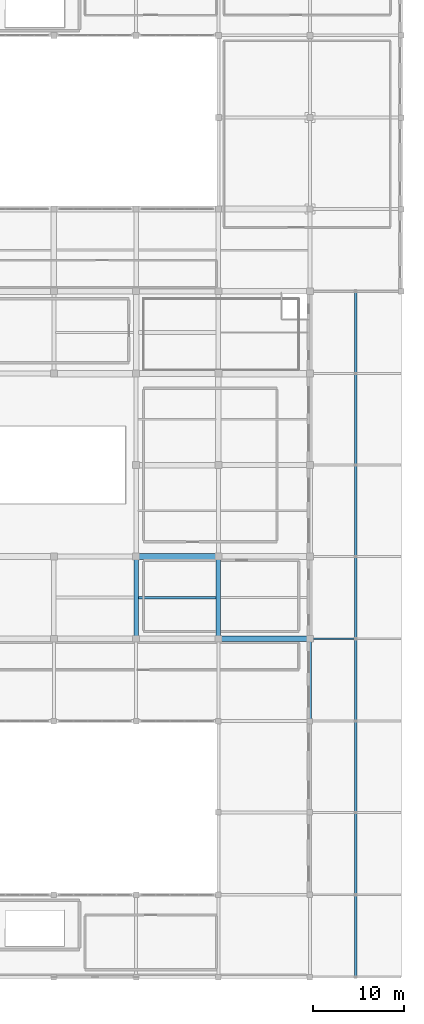
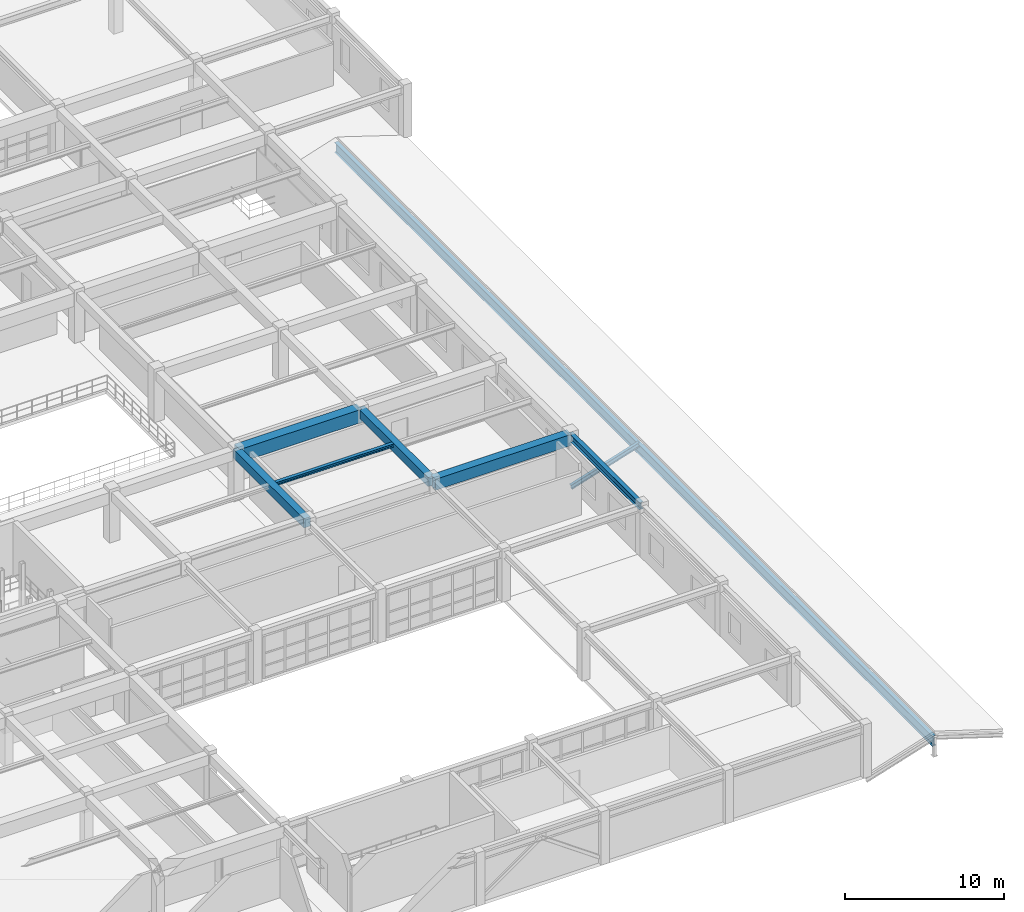
# One storey, part 80 of 130: 7 beams, 1 member.
"""IFC4 building model written with IfcOpenShell, lengths in metres."""

from ifc_helpers import new_model, si_unit, direction, frame, origin, origin_2d, place, context, subcontext, project, spatial, rectangle, i_section, extrude, material, material_profile, profile_set, type_object, element, save


model = new_model("IFC4")

# Units and contexts
model_context = context("Model", 3, precision=1e-05, world=origin(), true_north=direction((0.0, 1.0)))
body_context = subcontext(model_context, "Body", "Model", "MODEL_VIEW")
ifc_project = project(units=[si_unit("LENGTHUNIT", "METRE"), si_unit("AREAUNIT", "SQUARE_METRE"), si_unit("VOLUMEUNIT", "CUBIC_METRE"), si_unit("PLANEANGLEUNIT", "RADIAN"), si_unit("MASSUNIT", "GRAM", prefix="KILO")], contexts=[model_context])

# Site, building, storey
site_placement = place(None, origin())
site = spatial("IfcSite", under=ifc_project, at=site_placement, CompositionType="ELEMENT")
building_placement = place(site_placement, origin())
building = spatial("IfcBuilding", under=site, at=building_placement, Name="Miravela Opera House", CompositionType="ELEMENT")
storey_placement = place(building_placement, frame((0.0, 0.0, 9.52001953125)))
storey = spatial("IfcBuildingStorey", under=building, at=storey_placement, Name="L02", CompositionType="ELEMENT", Elevation=9.52001953125)

# Beams
ifc_material_1 = material(Name="Concrete C35/45", Category="concrete")
ifc_material_profile_1 = material_profile(ifc_material_1, rectangle(XDim=0.47998046875, YDim=0.679931640625, at=origin_2d()), Name="RC-BM-480X680")
ifc_profile_set_1 = profile_set([ifc_material_profile_1])
beam_type_1 = type_object("IfcBeamType", Name="STR-BM-RC480X680", PredefinedType="BEAM", material=ifc_profile_set_1)
beam_1_placement = place(storey_placement, frame((144.0, 37.080078125, 3.5), z_axis=(0.0, 1.0, 0.0), x_axis=(-1.0, 0.0, 0.0)))
element("IfcBeam", 1, at=beam_1_placement, inside=storey, type_object=beam_type_1, Name="Floor Girder L02 17/E-F", PredefinedType="BEAM", context=body_context, shape_type="SweptSolid", body=[
    extrude(rectangle(XDim=0.47998046875, YDim=0.679931640625, at=origin_2d()), origin(), (0.0, 0.0, 1.0), 8.83984375),
])
ifc_material_profile_2 = material_profile(ifc_material_1, rectangle(XDim=0.5, YDim=0.699951171875, at=origin_2d()), Name="RC-BM-500X700")
ifc_profile_set_2 = profile_set([ifc_material_profile_2])
beam_type_2 = type_object("IfcBeamType", Name="STR-BM-RC500X700", PredefinedType="BEAM", material=ifc_profile_set_2)
beam_2_placement = place(storey_placement, frame((135.0, 37.080078125, 3.489990234375), z_axis=(0.0, 1.0, 0.0), x_axis=(-1.0, 0.0, 0.0)))
element("IfcBeam", 2, at=beam_2_placement, inside=storey, type_object=beam_type_2, Name="Floor Girder L02 16/E-F", PredefinedType="BEAM", context=body_context, shape_type="SweptSolid", body=[
    extrude(rectangle(XDim=0.5, YDim=0.699951171875, at=origin_2d()), origin(), (0.0, 0.0, 1.0), 8.83984375),
])
ifc_material_2 = material(Name="Concrete C40/50", Category="concrete")
ifc_material_profile_3 = material_profile(ifc_material_2, rectangle(XDim=0.60009765625, YDim=0.85009765625, at=origin_2d()), Name="RC-BM-600X850")
ifc_profile_set_3 = profile_set([ifc_material_profile_3])
beam_type_3 = type_object("IfcBeamType", Name="STR-BM-RC600X850", PredefinedType="BEAM", material=ifc_profile_set_3)
beam_3_placement = place(storey_placement, frame((144.080078125, 37.0, 3.4150390625), z_axis=(1.0, 0.0, 0.0), x_axis=(0.0, 1.0, 0.0)))
element("IfcBeam", 3, at=beam_3_placement, inside=storey, type_object=beam_type_3, Name="Floor Girder L02 17-18/E", PredefinedType="BEAM", context=body_context, shape_type="SweptSolid", body=[
    extrude(rectangle(XDim=0.60009765625, YDim=0.85009765625, at=origin_2d()), origin(), (0.0, 0.0, 1.0), 9.83984375),
])
ifc_material_profile_4 = material_profile(ifc_material_2, rectangle(XDim=0.699951171875, YDim=1.0, at=origin_2d()), Name="RC-BM-700X1000")
ifc_profile_set_4 = profile_set([ifc_material_profile_4])
beam_type_4 = type_object("IfcBeamType", Name="STR-BM-RC700X1000", PredefinedType="BEAM", material=ifc_profile_set_4)
beam_4_placement = place(storey_placement, frame((135.080078125, 46.0, 3.340087890625), z_axis=(1.0, 0.0, 0.0), x_axis=(0.0, 1.0, 0.0)))
element("IfcBeam", 4, at=beam_4_placement, inside=storey, type_object=beam_type_4, Name="Floor Girder L02 16-17/F", PredefinedType="BEAM", context=body_context, shape_type="SweptSolid", body=[
    extrude(rectangle(XDim=0.699951171875, YDim=1.0, at=origin_2d()), origin(), (0.0, 0.0, 1.0), 8.83984375),
])
ifc_material_3 = material(Name="Structural steel ASTM A992 Gr. 50", Category="steel")
ifc_material_profile_5 = material_profile(ifc_material_3, i_section(OverallWidth=0.25390625, OverallDepth=0.2529296875, WebThickness=0.008544921875, FlangeThickness=0.01416015625, FilletRadius=0.011962890625, at=origin_2d()), Name="W250X73")
ifc_profile_set_5 = profile_set([ifc_material_profile_5])
beam_type_5 = type_object("IfcBeamType", Name="STR-BM-W250X73", PredefinedType="JOIST", material=ifc_profile_set_5)
beam_5_placement = place(storey_placement, frame((135.235107421875, 41.5, 3.71337890625), z_axis=(1.0, 0.0, 0.0), x_axis=(0.0, 1.0, 0.0)))
element("IfcBeam", 5, at=beam_5_placement, inside=storey, type_object=beam_type_5, Name="Secondary Floor Joist L02 16-17/E-F", PredefinedType="JOIST", context=body_context, shape_type="SweptSolid", body=[
    extrude(i_section(OverallWidth=0.25390625, OverallDepth=0.2529296875, WebThickness=0.008544921875, FlangeThickness=0.01416015625, FilletRadius=0.011962890625, at=origin_2d()), origin(), (0.0, 0.0, 1.0), 8.539794921875),
])
ifc_material_profile_6 = material_profile(ifc_material_3, i_section(OverallWidth=0.31201171875, OverallDepth=0.54296875, WebThickness=0.0126953125, FlangeThickness=0.020263671875, FilletRadius=0.01611328125, at=origin_2d()), Name="W530X150")
ifc_profile_set_6 = profile_set([ifc_material_profile_6])
beam_type_6 = type_object("IfcBeamType", Name="STR-BM-W530X150", PredefinedType="BEAM", material=ifc_profile_set_6)
beam_6_placement = place(storey_placement, frame((154.0, 28.080078125, 3.568359375), z_axis=(0.0, 1.0, 0.0), x_axis=(-1.0, 0.0, 0.0)))
element("IfcBeam", 6, at=beam_6_placement, inside=storey, type_object=beam_type_6, Name="Roof King-Post Transverse Tie Girder ROOF-V4-NE T4.1", PredefinedType="BEAM", context=body_context, shape_type="SweptSolid", body=[
    extrude(i_section(OverallWidth=0.31201171875, OverallDepth=0.54296875, WebThickness=0.0126953125, FlangeThickness=0.020263671875, FilletRadius=0.01611328125, at=origin_2d()), origin(), (0.0, 0.0, 1.0), 8.83984375),
])
ifc_material_profile_7 = material_profile(ifc_material_3, i_section(OverallWidth=0.26806640625, OverallDepth=0.77001953125, WebThickness=0.015625, FlangeThickness=0.025390625, FilletRadius=0.02001953125, at=origin_2d()), Name="W760X196")
ifc_profile_set_7 = profile_set([ifc_material_profile_7])
beam_type_7 = type_object("IfcBeamType", Name="STR-BM-W760X196", PredefinedType="BEAM", material=ifc_profile_set_7)
beam_7_placement = place(storey_placement, frame((159.0, 0.0, 0.85498046875), z_axis=(0.0, 1.0, 0.0), x_axis=(-1.0, 0.0, 0.0)))
element("IfcBeam", 7, at=beam_7_placement, inside=storey, type_object=beam_type_7, Name="Clay Tile Roof Ridge Beam ROOF-V4-FAR-E", PredefinedType="BEAM", context=body_context, shape_type="SweptSolid", body=[
    extrude(i_section(OverallWidth=0.26806640625, OverallDepth=0.77001953125, WebThickness=0.015625, FlangeThickness=0.025390625, FilletRadius=0.02001953125, at=origin_2d()), origin(), (0.0, 0.0, 1.0), 75.0),
])

# Member
ifc_material_profile_8 = material_profile(ifc_material_3, i_section(OverallWidth=0.2041015625, OverallDepth=0.35009765625, WebThickness=0.008544921875, FlangeThickness=0.01513671875, FilletRadius=0.013916015625, at=origin_2d()), Name="W360X72")
ifc_profile_set_8 = profile_set([ifc_material_profile_8])
member_type = type_object("IfcMemberType", Name="STR-MEM-RAFTER-1", PredefinedType="RAFTER", material=ifc_profile_set_8)
member_placement = place(storey_placement, frame((154.050048828125, 37.0, -0.39990234375), z_axis=(0.953766624153, 0.0, 0.300548210195), x_axis=(0.0, 1.0, 0.0)))
element("IfcMember", 8, at=member_placement, inside=storey, type_object=member_type, Name="Pitched Roof Rafter ROOF-V4-FAR-E W4", PredefinedType="RAFTER", context=body_context, shape_type="SweptSolid", body=[
    extrude(i_section(OverallWidth=0.2041015625, OverallDepth=0.35009765625, WebThickness=0.008544921875, FlangeThickness=0.01513671875, FilletRadius=0.013916015625, at=origin_2d()), origin(), (0.0, 0.0, 1.0), 5.18994140625),
])

save(model, "model.ifc")
